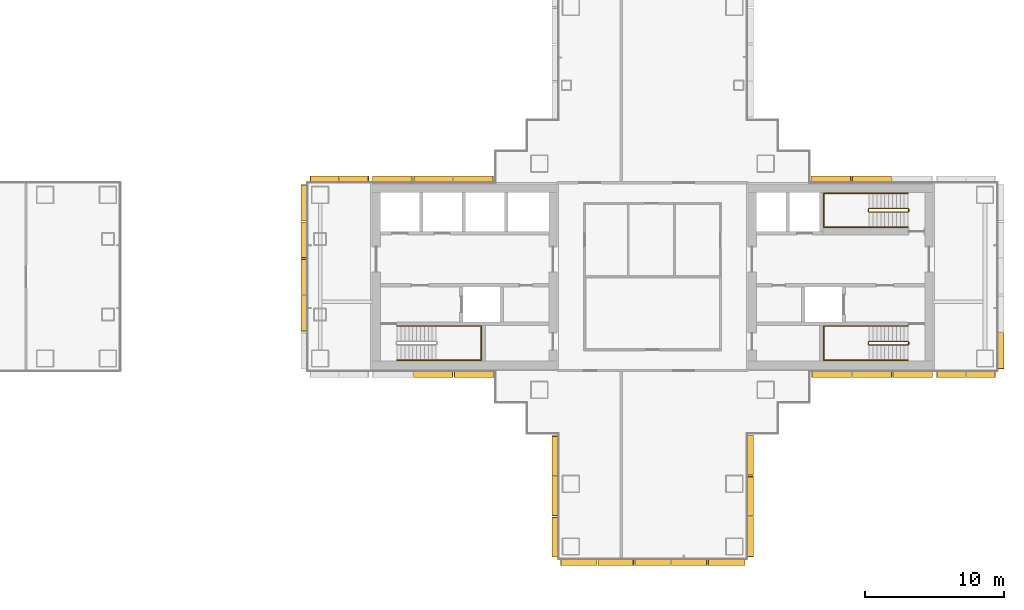
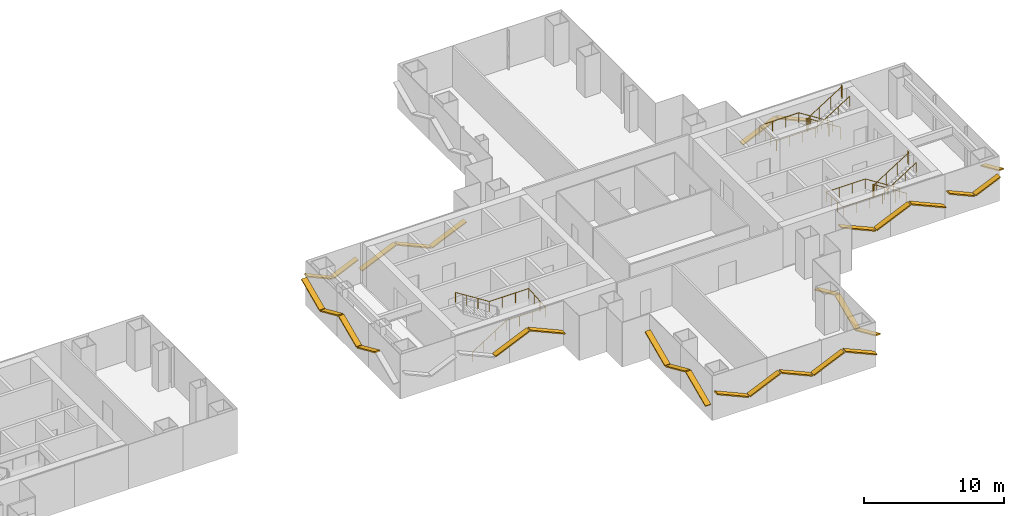
# One storey, part 18 of 20: 30 shading devices, 5 railings.
"""IFC4 building model written with IfcOpenShell, lengths in metres."""

import ifcopenshell
import ifcopenshell.guid

model = None  # the IFC model being written
_history = None  # IfcOwnerHistory: only IFC2X3 demands one
_inside = {}  # id of a spatial element -> (the spatial element, [elements in it])
_under = {}  # id of a project, library or spatial element -> (it, [spatial elements below it])
_declared = {}  # id of a project -> (the project, [libraries it declares])
_typed = {}  # id of a type object -> (the type object, [elements of that type])
_made_of = {}  # id of a material, layer set ... -> (it, [elements and type objects made of it])


def new_model(schema):
    """Start an empty IFC model of exactly this schema.

    Asked for "IFC4X3", IfcOpenShell would pick the latest addendum, in which some entities
    have other attributes; the version numbers below select the first issue.
    IFC2X3 requires an IfcOwnerHistory on every rooted entity: one is made here for all.
    """
    global model, _history
    if schema == "IFC4X3":
        model = ifcopenshell.file(schema_version=(4, 3, 0, 0))
    else:
        model = ifcopenshell.file(schema=schema)
    _inside.clear()
    _under.clear()
    _declared.clear()
    _typed.clear()
    _made_of.clear()
    _history = None
    if model.schema == "IFC2X3":
        org = make("IfcOrganization", Name="unknown")
        user = make(
            "IfcPersonAndOrganization",
            ThePerson=make("IfcPerson", FamilyName="unknown"),
            TheOrganization=org,
        )
        app = make(
            "IfcApplication",
            ApplicationDeveloper=org,
            Version="unknown",
            ApplicationFullName="unknown",
            ApplicationIdentifier="unknown",
        )
        _history = make(
            "IfcOwnerHistory",
            OwningUser=user,
            OwningApplication=app,
            ChangeAction="ADDED",
            CreationDate=0,
        )
    return model


def make(cls, **values):
    """One entity of the class cls with the attributes given. An attribute that is None is left unset."""
    return model.create_entity(
        cls, **{name: value for name, value in values.items() if value is not None}
    )


def rooted(cls, **values):
    """An entity with a GlobalId (a new one), such as an element, a storey or a relation."""
    return make(cls, GlobalId=ifcopenshell.guid.new(), OwnerHistory=_history, **values)


def si_unit(unit_type, name, prefix=None):
    """IfcSIUnit, for example si_unit("LENGTHUNIT", "METRE", prefix="MILLI")."""
    return make("IfcSIUnit", UnitType=unit_type, Prefix=prefix, Name=name)


def assignment(units):
    """IfcUnitAssignment: the units of a project."""
    return None if units is None else make("IfcUnitAssignment", Units=units)


def point(xyz):
    """IfcCartesianPoint."""
    return None if xyz is None else make("IfcCartesianPoint", Coordinates=xyz)


def direction(xyz):
    """IfcDirection."""
    return None if xyz is None else make("IfcDirection", DirectionRatios=xyz)


def frame(location, z_axis=None, x_axis=None):
    """IfcAxis2Placement3D, a coordinate frame: its origin and axes. An axis left out is left unset."""
    return make(
        "IfcAxis2Placement3D",
        Location=point(location),
        Axis=direction(z_axis),
        RefDirection=direction(x_axis),
    )


def frame_2d(location, x_axis=None):
    """IfcAxis2Placement2D, a coordinate frame in the plane: its origin and x axis."""
    return make(
        "IfcAxis2Placement2D", Location=point(location), RefDirection=direction(x_axis)
    )


def origin():
    """The frame at (0, 0, 0) with its axes left unset."""
    return frame((0.0, 0.0, 0.0))


def origin_2d():
    """The frame at (0, 0) in the plane with its x axis left unset."""
    return frame_2d((0.0, 0.0))


def place(relative_to, where):
    """IfcLocalPlacement: puts the frame where relative to a parent placement (None: the world)."""
    return make(
        "IfcLocalPlacement", PlacementRelTo=relative_to, RelativePlacement=where
    )


def context(
    kind, dimensions, precision=None, world=None, true_north=None, identifier=None
):
    """IfcGeometricRepresentationContext, for example the 3D "Model" context."""
    return make(
        "IfcGeometricRepresentationContext",
        ContextIdentifier=identifier,
        ContextType=kind,
        CoordinateSpaceDimension=dimensions,
        Precision=precision,
        WorldCoordinateSystem=world,
        TrueNorth=true_north,
    )


def subcontext(parent, identifier, kind, view, scale=None):
    """IfcGeometricRepresentationSubContext, for example "Body" below "Model"."""
    return make(
        "IfcGeometricRepresentationSubContext",
        ContextIdentifier=identifier,
        ContextType=kind,
        ParentContext=parent,
        TargetScale=scale,
        TargetView=view,
    )


def project(units=None, contexts=None):
    """IfcProject with its units and contexts."""
    return rooted(
        "IfcProject",
        Name="project",
        RepresentationContexts=contexts,
        UnitsInContext=assignment(units),
    )


def spatial(cls, under=None, at=None, **own):
    """A site, building, storey or space (cls), placed at a placement, below another one or the project."""
    s = rooted(cls, ObjectPlacement=at, **own)
    if under is not None:
        _under.setdefault(under.id(), (under, []))[1].append(s)
    return s


def profile(cls, at=None, kind="AREA", **sizes):
    """A parametric profile (cls). Its sizes go by their IFC names, for example OverallWidth=200.0."""
    return make(cls, ProfileType=kind, Position=at, **sizes)


def rectangle(**sizes):
    """IfcRectangleProfileDef."""
    return profile("IfcRectangleProfileDef", **sizes)


def circle(**sizes):
    """IfcCircleProfileDef."""
    return profile("IfcCircleProfileDef", **sizes)


def extrude(swept, where, along, depth):
    """IfcExtrudedAreaSolid: the profile swept, set in the frame where, extruded along a direction by depth."""
    return make(
        "IfcExtrudedAreaSolid",
        SweptArea=swept,
        Position=where,
        ExtrudedDirection=direction(along),
        Depth=depth,
    )


def shape(context_of_items, identifier, shape_type, items):
    """IfcShapeRepresentation: the items that make up one representation, for example the "Body"."""
    return make(
        "IfcShapeRepresentation",
        ContextOfItems=context_of_items,
        RepresentationIdentifier=identifier,
        RepresentationType=shape_type,
        Items=items,
    )


def material(Name=None, Category=None):
    """IfcMaterial."""
    return make("IfcMaterial", Name=Name, Category=Category)


def material_profile(
    of_material, cross_section, Name=None, Category=None, Priority=None
):
    """IfcMaterialProfile: a cross section and its material."""
    return make(
        "IfcMaterialProfile",
        Name=Name,
        Material=of_material,
        Profile=cross_section,
        Priority=Priority,
        Category=Category,
    )


def profile_set(profiles, Name=None, composite=None):
    """IfcMaterialProfileSet."""
    return make(
        "IfcMaterialProfileSet",
        Name=Name,
        MaterialProfiles=profiles,
        CompositeProfile=composite,
    )


def made_of(thing, what):
    """Note that an element or type object is made of a material, layer set ...; save() writes the relation."""
    if what is not None:
        _made_of.setdefault(what.id(), (what, []))[1].append(thing)
    return thing


def type_object(cls, material=None, **own):
    """A type object (cls), such as IfcWallType, which elements share."""
    return made_of(rooted(cls, **own), material)


def element(
    cls,
    number,
    at=None,
    inside=None,
    cuts=None,
    type_object=None,
    material=None,
    context=None,
    identifier="Body",
    shape_type=None,
    held_by="IfcProductDefinitionShape",
    body=None,
    shapes=None,
    **own,
):
    """One element of the class cls, such as IfcWall. Its Tag is "e" and its number.

    at: its placement. inside: the storey or other place that contains it. cuts: it is an
    opening in that element (IfcRelVoidsElement). A single representation is given by context,
    identifier, shape_type and body (its items); several are given by shapes. held_by: the class
    of the entity that holds the representations. save() writes the other relations.
    """
    e = rooted(cls, Tag="e%d" % number, ObjectPlacement=at, **own)
    if body is not None:
        shapes = [shape(context, identifier, shape_type, body)]
    if shapes is not None:
        e.Representation = make(held_by, Representations=shapes)
    if inside is not None:
        _inside.setdefault(inside.id(), (inside, []))[1].append(e)
    if cuts is not None:
        rooted(
            "IfcRelVoidsElement", RelatingBuildingElement=cuts, RelatedOpeningElement=e
        )
    if type_object is not None:
        _typed.setdefault(type_object.id(), (type_object, []))[1].append(e)
    return made_of(e, material)


def aggregate(whole, parts):
    """IfcRelAggregates: a whole, such as a stair, and the parts it consists of."""
    return rooted("IfcRelAggregates", RelatingObject=whole, RelatedObjects=parts)


def save(model, path):
    """Write the relations noted so far, then the file.

    IfcRelAggregates (storeys below a building ...), IfcRelContainedInSpatialStructure (elements
    in a storey), IfcRelDefinesByType, IfcRelAssociatesMaterial and IfcRelDeclares: one each for
    every whole, place, type object, material and project.
    """
    for whole, parts in _under.values():
        aggregate(whole, parts)
    for where, things in _inside.values():
        rooted(
            "IfcRelContainedInSpatialStructure",
            RelatedElements=things,
            RelatingStructure=where,
        )
    for kind, things in _typed.values():
        rooted("IfcRelDefinesByType", RelatedObjects=things, RelatingType=kind)
    for what, things in _made_of.values():
        rooted("IfcRelAssociatesMaterial", RelatedObjects=things, RelatingMaterial=what)
    for by, libraries in _declared.values():
        rooted("IfcRelDeclares", RelatingContext=by, RelatedDefinitions=libraries)
    model.write(path)


model = new_model("IFC4")

# Units and contexts
model_context = context("Model", 3, precision=1e-05, world=origin(), true_north=direction((0.0, 1.0)))
body_context = subcontext(model_context, "Body", "Model", "MODEL_VIEW")
ifc_project = project(units=[si_unit("LENGTHUNIT", "METRE"), si_unit("AREAUNIT", "SQUARE_METRE"), si_unit("VOLUMEUNIT", "CUBIC_METRE"), si_unit("PLANEANGLEUNIT", "RADIAN"), si_unit("MASSUNIT", "GRAM", prefix="KILO")], contexts=[model_context])

# Site, building, storey
site_placement = place(None, origin())
site = spatial("IfcSite", under=ifc_project, at=site_placement, CompositionType="ELEMENT")
building_placement = place(site_placement, origin())
building = spatial("IfcBuilding", under=site, at=building_placement, Name="Shamsa Quay Exchange Towers", CompositionType="ELEMENT")
storey_placement = place(building_placement, frame((0.0, 0.0, 101.39990234375)))
storey = spatial("IfcBuildingStorey", under=building, at=storey_placement, Name="L23", CompositionType="ELEMENT", Elevation=101.39990234375)

# Shading devices
ifc_material_1 = material(Name="Aluminium EN AW-6063 T6, black anodised", Category="aluminium")
ifc_material_profile = material_profile(ifc_material_1, rectangle(XDim=0.449951171875, YDim=0.10009765625, at=origin_2d()), Name="FIN450x100")
ifc_profile_set = profile_set([ifc_material_profile], Name="Aluminium EN AW-6063 T6, black anodised")
shading_device_type = type_object("IfcShadingDeviceType", Name="FIN 450x100 BLACK ALUMINIUM", PredefinedType="USERDEFINED", material=ifc_profile_set)
shading_device_1_placement = place(storey_placement, frame((45.18798828125, -7.01904296875, 2.231689453125), z_axis=(0.913558535862, 0.0, -0.406707267643), x_axis=(0.0, 1.0, 0.0)))
element("IfcShadingDevice", 1, at=shading_device_1_placement, inside=storey, type_object=shading_device_type, Name="FIN T2 chevron rib", ObjectType="FIN", PredefinedType="USERDEFINED", context=body_context, shape_type="SweptSolid", body=[
    extrude(rectangle(XDim=0.449951171875, YDim=0.10009765625, at=origin_2d()), origin(), (0.0, 0.0, 1.0), 3.10595703125),
])
shading_device_2_placement = place(storey_placement, frame((48.125244140625, -7.01904296875, 0.9794921875), z_axis=(0.913520954647, 0.0, 0.406791673244), x_axis=(0.0, 1.0, 0.0)))
element("IfcShadingDevice", 2, at=shading_device_2_placement, inside=storey, type_object=shading_device_type, Name="FIN T2 chevron rib", ObjectType="FIN", PredefinedType="USERDEFINED", context=body_context, shape_type="SweptSolid", body=[
    extrude(rectangle(XDim=0.449951171875, YDim=0.10009765625, at=origin_2d()), origin(), (0.0, 0.0, 1.0), 3.05126953125),
])
shading_device_3_placement = place(storey_placement, frame((51.0126953125, -7.01904296875, 2.231689453125), z_axis=(0.913558535862, 0.0, -0.406707267643), x_axis=(0.0, 1.0, 0.0)))
element("IfcShadingDevice", 3, at=shading_device_3_placement, inside=storey, type_object=shading_device_type, Name="FIN T2 chevron rib", ObjectType="FIN", PredefinedType="USERDEFINED", context=body_context, shape_type="SweptSolid", body=[
    extrude(rectangle(XDim=0.449951171875, YDim=0.10009765625, at=origin_2d()), origin(), (0.0, 0.0, 1.0), 3.10595703125),
])
for number, where, z_axis, x_axis, name in (
    (4, (54.14990234375, -7.014892578125, 2.056396484375), (0.913569116241, 0.0, -0.406683500835), (0.0, 1.0, 0.0), "FIN T2 chevron rib"),
    (5, (56.300048828125, -7.014892578125, 1.143798828125), (0.913569116241, 0.0, 0.406683500835), (0.0, 1.0, 0.0), "FIN T2 chevron rib"),
):
    element("IfcShadingDevice", number, at=place(storey_placement, frame(where, z_axis=z_axis, x_axis=x_axis)), inside=storey, type_object=shading_device_type, Name=name, ObjectType="FIN", PredefinedType="USERDEFINED", context=body_context, shape_type="SweptSolid", body=[
        extrude(rectangle(XDim=0.449951171875, YDim=0.10009765625, at=origin_2d()), origin(), (0.0, 0.0, 1.0), 2.243896484375),
    ])
shading_device_4_placement = place(storey_placement, frame((58.764892578125, -6.60009765625, 2.1767578125), z_axis=(0.0, 0.913527255138, -0.406777524109), x_axis=(-1.0, 0.0, 0.0)))
element("IfcShadingDevice", 6, at=shading_device_4_placement, inside=storey, type_object=shading_device_type, Name="FIN T2 chevron rib", ObjectType="FIN", PredefinedType="USERDEFINED", context=body_context, shape_type="SweptSolid", body=[
    extrude(rectangle(XDim=0.449951171875, YDim=0.10009765625, at=origin_2d()), origin(), (0.0, 0.0, 1.0), 2.835205078125),
])
shading_device_5_placement = place(storey_placement, frame((50.89990234375, 7.01904296875, 0.976806640625), z_axis=(-0.913541981537, 0.0, 0.406744450447), x_axis=(0.0, -1.0, 0.0)))
element("IfcShadingDevice", 7, at=shading_device_5_placement, inside=storey, type_object=shading_device_type, Name="FIN T2 chevron rib", ObjectType="FIN", PredefinedType="USERDEFINED", context=body_context, shape_type="SweptSolid", body=[
    extrude(rectangle(XDim=0.449951171875, YDim=0.10009765625, at=origin_2d()), origin(), (0.0, 0.0, 1.0), 3.064697265625),
])
shading_device_6_placement = place(storey_placement, frame((48.0, 7.01904296875, 2.234619140625), z_axis=(-0.913533816972, 0.0, -0.406762787444), x_axis=(0.0, -1.0, 0.0)))
element("IfcShadingDevice", 8, at=shading_device_6_placement, inside=storey, type_object=shading_device_type, Name="FIN T2 chevron rib", ObjectType="FIN", PredefinedType="USERDEFINED", context=body_context, shape_type="SweptSolid", body=[
    extrude(rectangle(XDim=0.449951171875, YDim=0.10009765625, at=origin_2d()), origin(), (0.0, 0.0, 1.0), 3.119873046875),
])
shading_device_7_placement = place(storey_placement, frame((22.31201171875, 7.01904296875, 2.231689453125), z_axis=(-0.913558535862, 0.0, -0.406707267643), x_axis=(0.0, -1.0, 0.0)))
element("IfcShadingDevice", 9, at=shading_device_7_placement, inside=storey, type_object=shading_device_type, Name="FIN T2 chevron rib", ObjectType="FIN", PredefinedType="USERDEFINED", context=body_context, shape_type="SweptSolid", body=[
    extrude(rectangle(XDim=0.449951171875, YDim=0.10009765625, at=origin_2d()), origin(), (0.0, 0.0, 1.0), 3.10595703125),
])
shading_device_8_placement = place(storey_placement, frame((19.374755859375, 7.01904296875, 0.9794921875), z_axis=(-0.913520954647, 0.0, 0.406791673244), x_axis=(0.0, -1.0, 0.0)))
element("IfcShadingDevice", 10, at=shading_device_8_placement, inside=storey, type_object=shading_device_type, Name="FIN T2 chevron rib", ObjectType="FIN", PredefinedType="USERDEFINED", context=body_context, shape_type="SweptSolid", body=[
    extrude(rectangle(XDim=0.449951171875, YDim=0.10009765625, at=origin_2d()), origin(), (0.0, 0.0, 1.0), 3.05126953125),
])
shading_device_9_placement = place(storey_placement, frame((16.4873046875, 7.01904296875, 2.231689453125), z_axis=(-0.913558535862, 0.0, -0.406707267643), x_axis=(0.0, -1.0, 0.0)))
element("IfcShadingDevice", 11, at=shading_device_9_placement, inside=storey, type_object=shading_device_type, Name="FIN T2 chevron rib", ObjectType="FIN", PredefinedType="USERDEFINED", context=body_context, shape_type="SweptSolid", body=[
    extrude(rectangle(XDim=0.449951171875, YDim=0.10009765625, at=origin_2d()), origin(), (0.0, 0.0, 1.0), 3.10595703125),
])
for number, where, z_axis, x_axis, name in (
    (12, (13.35009765625, 7.014892578125, 2.056396484375), (-0.913569116241, 0.0, -0.406683500835), (0.0, -1.0, 0.0), "FIN T2 chevron rib"),
    (13, (11.199951171875, 7.014892578125, 1.143798828125), (-0.913569116241, 0.0, 0.406683500835), (0.0, -1.0, 0.0), "FIN T2 chevron rib"),
):
    element("IfcShadingDevice", number, at=place(storey_placement, frame(where, z_axis=z_axis, x_axis=x_axis)), inside=storey, type_object=shading_device_type, Name=name, ObjectType="FIN", PredefinedType="USERDEFINED", context=body_context, shape_type="SweptSolid", body=[
        extrude(rectangle(XDim=0.449951171875, YDim=0.10009765625, at=origin_2d()), origin(), (0.0, 0.0, 1.0), 2.243896484375),
    ])
shading_device_10_placement = place(storey_placement, frame((8.735107421875, 6.60009765625, 2.1767578125), z_axis=(0.0, -0.913527255138, -0.406777524109), x_axis=(1.0, 0.0, 0.0)))
element("IfcShadingDevice", 14, at=shading_device_10_placement, inside=storey, type_object=shading_device_type, Name="FIN T2 chevron rib", ObjectType="FIN", PredefinedType="USERDEFINED", context=body_context, shape_type="SweptSolid", body=[
    extrude(rectangle(XDim=0.449951171875, YDim=0.10009765625, at=origin_2d()), origin(), (0.0, 0.0, 1.0), 2.835205078125),
])
shading_device_11_placement = place(storey_placement, frame((8.735107421875, 3.909912109375, 1.03466796875), z_axis=(0.0, -0.913536125794, 0.406757602103), x_axis=(1.0, 0.0, 0.0)))
element("IfcShadingDevice", 15, at=shading_device_11_placement, inside=storey, type_object=shading_device_type, Name="FIN T2 chevron rib", ObjectType="FIN", PredefinedType="USERDEFINED", context=body_context, shape_type="SweptSolid", body=[
    extrude(rectangle(XDim=0.449951171875, YDim=0.10009765625, at=origin_2d()), origin(), (0.0, 0.0, 1.0), 2.7802734375),
])
shading_device_12_placement = place(storey_placement, frame((8.735107421875, 1.27001953125, 2.16552734375), z_axis=(0.0, -0.913550653139, -0.4067249736), x_axis=(1.0, 0.0, 0.0)))
element("IfcShadingDevice", 16, at=shading_device_12_placement, inside=storey, type_object=shading_device_type, Name="FIN T2 chevron rib", ObjectType="FIN", PredefinedType="USERDEFINED", context=body_context, shape_type="SweptSolid", body=[
    extrude(rectangle(XDim=0.449951171875, YDim=0.10009765625, at=origin_2d()), origin(), (0.0, 0.0, 1.0), 2.780517578125),
])
shading_device_13_placement = place(storey_placement, frame((8.735107421875, -1.3701171875, 1.03466796875), z_axis=(0.0, -0.913536125794, 0.406757602103), x_axis=(1.0, 0.0, 0.0)))
element("IfcShadingDevice", 17, at=shading_device_13_placement, inside=storey, type_object=shading_device_type, Name="FIN T2 chevron rib", ObjectType="FIN", PredefinedType="USERDEFINED", context=body_context, shape_type="SweptSolid", body=[
    extrude(rectangle(XDim=0.449951171875, YDim=0.10009765625, at=origin_2d()), origin(), (0.0, 0.0, 1.0), 2.7802734375),
])
shading_device_14_placement = place(storey_placement, frame((16.60009765625, -7.01904296875, 0.976806640625), z_axis=(0.913541981537, 0.0, 0.406744450447), x_axis=(0.0, 1.0, 0.0)))
element("IfcShadingDevice", 18, at=shading_device_14_placement, inside=storey, type_object=shading_device_type, Name="FIN T2 chevron rib", ObjectType="FIN", PredefinedType="USERDEFINED", context=body_context, shape_type="SweptSolid", body=[
    extrude(rectangle(XDim=0.449951171875, YDim=0.10009765625, at=origin_2d()), origin(), (0.0, 0.0, 1.0), 3.064697265625),
])
shading_device_15_placement = place(storey_placement, frame((19.5, -7.01904296875, 2.234619140625), z_axis=(0.913533816972, 0.0, -0.406762787444), x_axis=(0.0, 1.0, 0.0)))
element("IfcShadingDevice", 19, at=shading_device_15_placement, inside=storey, type_object=shading_device_type, Name="FIN T2 chevron rib", ObjectType="FIN", PredefinedType="USERDEFINED", context=body_context, shape_type="SweptSolid", body=[
    extrude(rectangle(XDim=0.449951171875, YDim=0.10009765625, at=origin_2d()), origin(), (0.0, 0.0, 1.0), 3.119873046875),
])
shading_device_16_placement = place(storey_placement, frame((26.735107421875, -11.43798828125, 2.231689453125), z_axis=(0.0, -0.913558535862, -0.406707267643), x_axis=(1.0, 0.0, 0.0)))
element("IfcShadingDevice", 20, at=shading_device_16_placement, inside=storey, type_object=shading_device_type, Name="FIN T2 chevron rib", ObjectType="FIN", PredefinedType="USERDEFINED", context=body_context, shape_type="SweptSolid", body=[
    extrude(rectangle(XDim=0.449951171875, YDim=0.10009765625, at=origin_2d()), origin(), (0.0, 0.0, 1.0), 3.10595703125),
])
shading_device_17_placement = place(storey_placement, frame((26.735107421875, -14.375244140625, 0.9794921875), z_axis=(0.0, -0.913520954647, 0.406791673244), x_axis=(1.0, 0.0, 0.0)))
element("IfcShadingDevice", 21, at=shading_device_17_placement, inside=storey, type_object=shading_device_type, Name="FIN T2 chevron rib", ObjectType="FIN", PredefinedType="USERDEFINED", context=body_context, shape_type="SweptSolid", body=[
    extrude(rectangle(XDim=0.449951171875, YDim=0.10009765625, at=origin_2d()), origin(), (0.0, 0.0, 1.0), 3.05126953125),
])
shading_device_18_placement = place(storey_placement, frame((26.735107421875, -17.2626953125, 2.231689453125), z_axis=(0.0, -0.913558535862, -0.406707267643), x_axis=(1.0, 0.0, 0.0)))
element("IfcShadingDevice", 22, at=shading_device_18_placement, inside=storey, type_object=shading_device_type, Name="FIN T2 chevron rib", ObjectType="FIN", PredefinedType="USERDEFINED", context=body_context, shape_type="SweptSolid", body=[
    extrude(rectangle(XDim=0.449951171875, YDim=0.10009765625, at=origin_2d()), origin(), (0.0, 0.0, 1.0), 3.10595703125),
])
shading_device_19_placement = place(storey_placement, frame((27.14990234375, -20.514892578125, 2.1767578125), z_axis=(0.913527255138, 0.0, -0.406777524109), x_axis=(0.0, 1.0, 0.0)))
element("IfcShadingDevice", 23, at=shading_device_19_placement, inside=storey, type_object=shading_device_type, Name="FIN T2 chevron rib", ObjectType="FIN", PredefinedType="USERDEFINED", context=body_context, shape_type="SweptSolid", body=[
    extrude(rectangle(XDim=0.449951171875, YDim=0.10009765625, at=origin_2d()), origin(), (0.0, 0.0, 1.0), 2.835205078125),
])
shading_device_20_placement = place(storey_placement, frame((29.840087890625, -20.514892578125, 1.03466796875), z_axis=(0.913536125794, 0.0, 0.406757602103), x_axis=(0.0, 1.0, 0.0)))
element("IfcShadingDevice", 24, at=shading_device_20_placement, inside=storey, type_object=shading_device_type, Name="FIN T2 chevron rib", ObjectType="FIN", PredefinedType="USERDEFINED", context=body_context, shape_type="SweptSolid", body=[
    extrude(rectangle(XDim=0.449951171875, YDim=0.10009765625, at=origin_2d()), origin(), (0.0, 0.0, 1.0), 2.7802734375),
])
shading_device_21_placement = place(storey_placement, frame((32.47998046875, -20.514892578125, 2.16552734375), z_axis=(0.913550653139, 0.0, -0.4067249736), x_axis=(0.0, 1.0, 0.0)))
element("IfcShadingDevice", 25, at=shading_device_21_placement, inside=storey, type_object=shading_device_type, Name="FIN T2 chevron rib", ObjectType="FIN", PredefinedType="USERDEFINED", context=body_context, shape_type="SweptSolid", body=[
    extrude(rectangle(XDim=0.449951171875, YDim=0.10009765625, at=origin_2d()), origin(), (0.0, 0.0, 1.0), 2.780517578125),
])
shading_device_22_placement = place(storey_placement, frame((35.1201171875, -20.514892578125, 1.03466796875), z_axis=(0.913536125794, 0.0, 0.406757602103), x_axis=(0.0, 1.0, 0.0)))
element("IfcShadingDevice", 26, at=shading_device_22_placement, inside=storey, type_object=shading_device_type, Name="FIN T2 chevron rib", ObjectType="FIN", PredefinedType="USERDEFINED", context=body_context, shape_type="SweptSolid", body=[
    extrude(rectangle(XDim=0.449951171875, YDim=0.10009765625, at=origin_2d()), origin(), (0.0, 0.0, 1.0), 2.7802734375),
])
shading_device_23_placement = place(storey_placement, frame((37.760009765625, -20.514892578125, 2.1767578125), z_axis=(0.913527255138, 0.0, -0.406777524109), x_axis=(0.0, 1.0, 0.0)))
element("IfcShadingDevice", 27, at=shading_device_23_placement, inside=storey, type_object=shading_device_type, Name="FIN T2 chevron rib", ObjectType="FIN", PredefinedType="USERDEFINED", context=body_context, shape_type="SweptSolid", body=[
    extrude(rectangle(XDim=0.449951171875, YDim=0.10009765625, at=origin_2d()), origin(), (0.0, 0.0, 1.0), 2.835205078125),
])
shading_device_24_placement = place(storey_placement, frame((40.764892578125, -20.10009765625, 2.234619140625), z_axis=(0.0, 0.913533816972, -0.406762787444), x_axis=(-1.0, 0.0, 0.0)))
element("IfcShadingDevice", 28, at=shading_device_24_placement, inside=storey, type_object=shading_device_type, Name="FIN T2 chevron rib", ObjectType="FIN", PredefinedType="USERDEFINED", context=body_context, shape_type="SweptSolid", body=[
    extrude(rectangle(XDim=0.449951171875, YDim=0.10009765625, at=origin_2d()), origin(), (0.0, 0.0, 1.0), 3.119873046875),
])
shading_device_25_placement = place(storey_placement, frame((40.764892578125, -17.14990234375, 0.976806640625), z_axis=(0.0, 0.913541981537, 0.406744450447), x_axis=(-1.0, 0.0, 0.0)))
element("IfcShadingDevice", 29, at=shading_device_25_placement, inside=storey, type_object=shading_device_type, Name="FIN T2 chevron rib", ObjectType="FIN", PredefinedType="USERDEFINED", context=body_context, shape_type="SweptSolid", body=[
    extrude(rectangle(XDim=0.449951171875, YDim=0.10009765625, at=origin_2d()), origin(), (0.0, 0.0, 1.0), 3.064697265625),
])
shading_device_26_placement = place(storey_placement, frame((40.764892578125, -14.25, 2.234619140625), z_axis=(0.0, 0.913533816972, -0.406762787444), x_axis=(-1.0, 0.0, 0.0)))
element("IfcShadingDevice", 30, at=shading_device_26_placement, inside=storey, type_object=shading_device_type, Name="FIN T2 chevron rib", ObjectType="FIN", PredefinedType="USERDEFINED", context=body_context, shape_type="SweptSolid", body=[
    extrude(rectangle(XDim=0.449951171875, YDim=0.10009765625, at=origin_2d()), origin(), (0.0, 0.0, 1.0), 3.119873046875),
])

# Railings
ifc_material_2 = material(Name="Stainless steel", Category="steel")
railing_type_1 = type_object("IfcRailingType", Name="STAIR GUARD 1100", PredefinedType="GUARDRAIL", material=ifc_material_2)
railing_1_placement = place(storey_placement, frame((52.10009765625, -4.64990234375, 0.177490234375)))
element("IfcRailing", 31, at=railing_1_placement, inside=storey, type_object=railing_type_1, Name="L23 ST5 stair guard 1", PredefinedType="GUARDRAIL", context=body_context, shape_type="SweptSolid", body=[
    extrude(circle(Radius=0.02392578125, at=origin_2d()), frame((0.0, 0.0, 1.076171875), z_axis=(-0.844908973607, 0.0, 0.534910110503), x_axis=(0.0, -1.0, 0.0)), (0.0, 0.0, 1.0), 3.31396484375),
    extrude(circle(Radius=0.02392578125, at=origin_2d()), frame((-2.800048828125, 0.0, 2.8486328125), z_axis=(-0.707106781187, -0.707106781187, 0.0), x_axis=(0.707106781187, -0.707106781187, 0.0)), (0.0, 0.0, 1.0), 0.07080078125),
    extrude(circle(Radius=0.02392578125, at=origin_2d()), frame((-2.85009765625, -0.050048828125, 2.8486328125), z_axis=(0.0, -1.0, 0.0), x_axis=(1.0, 0.0, 0.0)), (0.0, 0.0, 1.0), 0.150146484375),
    extrude(circle(Radius=0.02392578125, at=origin_2d()), frame((-2.85009765625, -0.2001953125, 2.8486328125), z_axis=(0.262321481514, -0.261041864531, 0.929001929653), x_axis=(0.705375805398, 0.708833529934, 0.0)), (0.0, 0.0, 1.0), 0.190673828125),
    extrude(circle(Radius=0.02392578125, at=origin_2d()), frame((-2.800048828125, -0.25, 3.02587890625), z_axis=(0.844908973607, 0.0, 0.534910110503), x_axis=(0.0, 1.0, 0.0)), (0.0, 0.0, 1.0), 3.31396484375),
    extrude(circle(Radius=0.02392578125, at=origin_2d()), frame((0.0, -0.25, 4.798828125), z_axis=(0.241699205484, 0.970351222016, 0.0), x_axis=(-0.970351222016, 0.241699205484, 0.0)), (0.0, 0.0, 1.0), 0.2060546875),
    extrude(circle(Radius=0.02392578125, at=origin_2d()), frame((0.0498046875, -0.050048828125, 4.798828125), z_axis=(0.0, -1.0, 0.0), x_axis=(1.0, 0.0, 0.0)), (0.0, 0.0, 1.0), 0.150146484375),
    extrude(circle(Radius=0.02099609375, at=origin_2d()), origin(), (0.0, 0.0, 1.0), 1.052001953125),
    extrude(circle(Radius=0.02099609375, at=origin_2d()), frame((-0.933349609375, 0.0, 0.5908203125)), (0.0, 0.0, 1.0), 1.052001953125),
    extrude(circle(Radius=0.02099609375, at=origin_2d()), frame((-1.86669921875, 0.0, 1.181884765625)), (0.0, 0.0, 1.0), 1.052001953125),
    extrude(circle(Radius=0.02099609375, at=origin_2d()), frame((-2.800048828125, 0.0, 1.772705078125)), (0.0, 0.0, 1.0), 1.052001953125),
    extrude(circle(Radius=0.02099609375, at=origin_2d()), frame((-2.85009765625, -0.050048828125, 1.772705078125)), (0.0, 0.0, 1.0), 1.052001953125),
    extrude(circle(Radius=0.02099609375, at=origin_2d()), frame((-2.85009765625, -0.2001953125, 1.772705078125)), (0.0, 0.0, 1.0), 1.052001953125),
    extrude(circle(Radius=0.02099609375, at=origin_2d()), frame((-2.800048828125, -0.25, 1.949951171875)), (0.0, 0.0, 1.0), 1.052001953125),
    extrude(circle(Radius=0.02099609375, at=origin_2d()), frame((-1.86669921875, -0.25, 2.540771484375)), (0.0, 0.0, 1.0), 1.052001953125),
    extrude(circle(Radius=0.02099609375, at=origin_2d()), frame((-0.933349609375, -0.25, 3.1318359375)), (0.0, 0.0, 1.0), 1.052001953125),
    extrude(circle(Radius=0.02099609375, at=origin_2d()), frame((0.0, -0.25, 3.72265625)), (0.0, 0.0, 1.0), 1.052001953125),
    extrude(circle(Radius=0.02099609375, at=origin_2d()), frame((0.0498046875, -0.050048828125, 3.72265625)), (0.0, 0.0, 1.0), 1.052001953125),
    extrude(circle(Radius=0.02099609375, at=origin_2d()), frame((0.0498046875, -0.2001953125, 3.72265625)), (0.0, 0.0, 1.0), 1.052001953125),
])
railing_2_placement = place(storey_placement, frame((52.10009765625, 4.89990234375, 0.177490234375)))
element("IfcRailing", 32, at=railing_2_placement, inside=storey, type_object=railing_type_1, Name="L23 ST6 stair guard 1", PredefinedType="GUARDRAIL", context=body_context, shape_type="SweptSolid", body=[
    extrude(circle(Radius=0.02392578125, at=origin_2d()), frame((0.0, 0.0, 1.076171875), z_axis=(-0.844908973607, 0.0, 0.534910110503), x_axis=(0.0, -1.0, 0.0)), (0.0, 0.0, 1.0), 3.31396484375),
    extrude(circle(Radius=0.02392578125, at=origin_2d()), frame((-2.800048828125, 0.0, 2.8486328125), z_axis=(-0.708833529934, -0.705375805398, 0.0), x_axis=(0.705375805398, -0.708833529934, 0.0)), (0.0, 0.0, 1.0), 0.070556640625),
    extrude(circle(Radius=0.02392578125, at=origin_2d()), frame((-2.85009765625, -0.0498046875, 2.8486328125), z_axis=(0.0, -1.0, 0.0), x_axis=(1.0, 0.0, 0.0)), (0.0, 0.0, 1.0), 0.150146484375),
    extrude(circle(Radius=0.02392578125, at=origin_2d()), frame((-2.85009765625, -0.199951171875, 2.8486328125), z_axis=(0.262233686654, -0.262233686654, 0.928691007369), x_axis=(0.707106781187, 0.707106781187, 0.0)), (0.0, 0.0, 1.0), 0.19091796875),
    extrude(circle(Radius=0.02392578125, at=origin_2d()), frame((-2.800048828125, -0.25, 3.02587890625), z_axis=(0.844908973607, 0.0, 0.534910110503), x_axis=(0.0, 1.0, 0.0)), (0.0, 0.0, 1.0), 3.31396484375),
    extrude(circle(Radius=0.02392578125, at=origin_2d()), frame((0.0, -0.25, 4.798828125), z_axis=(0.24142163986, 0.970420317083, 0.0), x_axis=(-0.970420317083, 0.24142163986, 0.0)), (0.0, 0.0, 1.0), 0.206298828125),
    extrude(circle(Radius=0.02392578125, at=origin_2d()), frame((0.0498046875, -0.0498046875, 4.798828125), z_axis=(0.0, -1.0, 0.0), x_axis=(1.0, 0.0, 0.0)), (0.0, 0.0, 1.0), 0.150146484375),
    extrude(circle(Radius=0.02099609375, at=origin_2d()), origin(), (0.0, 0.0, 1.0), 1.052001953125),
    extrude(circle(Radius=0.02099609375, at=origin_2d()), frame((-0.933349609375, 0.0, 0.5908203125)), (0.0, 0.0, 1.0), 1.052001953125),
    extrude(circle(Radius=0.02099609375, at=origin_2d()), frame((-1.86669921875, 0.0, 1.181884765625)), (0.0, 0.0, 1.0), 1.052001953125),
    extrude(circle(Radius=0.02099609375, at=origin_2d()), frame((-2.800048828125, 0.0, 1.772705078125)), (0.0, 0.0, 1.0), 1.052001953125),
    extrude(circle(Radius=0.02099609375, at=origin_2d()), frame((-2.85009765625, -0.0498046875, 1.772705078125)), (0.0, 0.0, 1.0), 1.052001953125),
    extrude(circle(Radius=0.02099609375, at=origin_2d()), frame((-2.85009765625, -0.199951171875, 1.772705078125)), (0.0, 0.0, 1.0), 1.052001953125),
    extrude(circle(Radius=0.02099609375, at=origin_2d()), frame((-2.800048828125, -0.25, 1.949951171875)), (0.0, 0.0, 1.0), 1.052001953125),
    extrude(circle(Radius=0.02099609375, at=origin_2d()), frame((-1.86669921875, -0.25, 2.540771484375)), (0.0, 0.0, 1.0), 1.052001953125),
    extrude(circle(Radius=0.02099609375, at=origin_2d()), frame((-0.933349609375, -0.25, 3.1318359375)), (0.0, 0.0, 1.0), 1.052001953125),
    extrude(circle(Radius=0.02099609375, at=origin_2d()), frame((0.0, -0.25, 3.72265625)), (0.0, 0.0, 1.0), 1.052001953125),
    extrude(circle(Radius=0.02099609375, at=origin_2d()), frame((0.0498046875, -0.0498046875, 3.72265625)), (0.0, 0.0, 1.0), 1.052001953125),
    extrude(circle(Radius=0.02099609375, at=origin_2d()), frame((0.0498046875, -0.199951171875, 3.72265625)), (0.0, 0.0, 1.0), 1.052001953125),
])
railing_type_2 = type_object("IfcRailingType", Name="STAIR HANDRAIL 900", PredefinedType="HANDRAIL", material=ifc_material_2)
railing_3_placement = place(storey_placement, frame((15.39990234375, -6.0, 0.177490234375)))
element("IfcRailing", 33, at=railing_3_placement, inside=storey, type_object=railing_type_2, Name="L23 ST4 stair handrail 1", PredefinedType="HANDRAIL", context=body_context, shape_type="SweptSolid", body=[
    extrude(circle(Radius=0.02392578125, at=origin_2d()), frame((0.0, 0.0, 0.8759765625), z_axis=(0.844908973607, 0.0, 0.534910110503), x_axis=(0.0, 1.0, 0.0)), (0.0, 0.0, 1.0), 3.31396484375),
    extrude(circle(Radius=0.02392578125, at=origin_2d()), frame((2.800048828125, 0.0, 2.6484375), z_axis=(1.0, 0.0, 0.0), x_axis=(0.0, 1.0, 0.0)), (0.0, 0.0, 1.0), 3.25),
    extrude(circle(Radius=0.02392578125, at=origin_2d()), frame((6.050048828125, 0.0, 2.6484375), z_axis=(0.0, 0.997393199914, 0.07215819264), x_axis=(-1.0, 0.0, 0.0)), (0.0, 0.0, 1.0), 2.456298828125),
    extrude(circle(Radius=0.02392578125, at=origin_2d()), frame((6.050048828125, 2.449951171875, 2.82568359375), z_axis=(-1.0, 0.0, 0.0), x_axis=(0.0, -1.0, 0.0)), (0.0, 0.0, 1.0), 3.25),
    extrude(circle(Radius=0.02392578125, at=origin_2d()), frame((2.800048828125, 2.449951171875, 2.82568359375), z_axis=(-0.844908973607, 0.0, 0.534910110503), x_axis=(0.0, -1.0, 0.0)), (0.0, 0.0, 1.0), 3.31396484375),
    extrude(circle(Radius=0.02099609375, at=origin_2d()), origin(), (0.0, 0.0, 1.0), 0.851806640625),
    extrude(circle(Radius=0.02099609375, at=origin_2d()), frame((0.933349609375, 0.0, 0.5908203125)), (0.0, 0.0, 1.0), 0.851806640625),
    extrude(circle(Radius=0.02099609375, at=origin_2d()), frame((1.86669921875, 0.0, 1.181884765625)), (0.0, 0.0, 1.0), 0.851806640625),
    extrude(circle(Radius=0.02099609375, at=origin_2d()), frame((2.800048828125, 0.0, 1.772705078125)), (0.0, 0.0, 1.0), 0.851806640625),
    extrude(circle(Radius=0.02099609375, at=origin_2d()), frame((3.88330078125, 0.0, 1.772705078125)), (0.0, 0.0, 1.0), 0.851806640625),
    extrude(circle(Radius=0.02099609375, at=origin_2d()), frame((4.966796875, 0.0, 1.772705078125)), (0.0, 0.0, 1.0), 0.851806640625),
    extrude(circle(Radius=0.02099609375, at=origin_2d()), frame((6.050048828125, 0.0, 1.772705078125)), (0.0, 0.0, 1.0), 0.851806640625),
    extrude(circle(Radius=0.02099609375, at=origin_2d()), frame((6.050048828125, 0.816650390625, 1.831787109375)), (0.0, 0.0, 1.0), 0.851806640625),
    extrude(circle(Radius=0.02099609375, at=origin_2d()), frame((6.050048828125, 1.63330078125, 1.890869140625)), (0.0, 0.0, 1.0), 0.851806640625),
    extrude(circle(Radius=0.02099609375, at=origin_2d()), frame((6.050048828125, 2.449951171875, 1.949951171875)), (0.0, 0.0, 1.0), 0.851806640625),
    extrude(circle(Radius=0.02099609375, at=origin_2d()), frame((4.966796875, 2.449951171875, 1.949951171875)), (0.0, 0.0, 1.0), 0.851806640625),
    extrude(circle(Radius=0.02099609375, at=origin_2d()), frame((3.88330078125, 2.449951171875, 1.949951171875)), (0.0, 0.0, 1.0), 0.851806640625),
    extrude(circle(Radius=0.02099609375, at=origin_2d()), frame((2.800048828125, 2.449951171875, 1.949951171875)), (0.0, 0.0, 1.0), 0.851806640625),
    extrude(circle(Radius=0.02099609375, at=origin_2d()), frame((1.86669921875, 2.449951171875, 2.540771484375)), (0.0, 0.0, 1.0), 0.851806640625),
    extrude(circle(Radius=0.02099609375, at=origin_2d()), frame((0.933349609375, 2.449951171875, 3.1318359375)), (0.0, 0.0, 1.0), 0.851806640625),
    extrude(circle(Radius=0.02099609375, at=origin_2d()), frame((0.0, 2.449951171875, 3.72265625)), (0.0, 0.0, 1.0), 0.851806640625),
])
railing_4_placement = place(storey_placement, frame((52.10009765625, -3.550048828125, 0.177490234375)))
element("IfcRailing", 34, at=railing_4_placement, inside=storey, type_object=railing_type_2, Name="L23 ST5 stair handrail 1", PredefinedType="HANDRAIL", context=body_context, shape_type="SweptSolid", body=[
    extrude(circle(Radius=0.02392578125, at=origin_2d()), frame((0.0, 0.0, 0.8759765625), z_axis=(-0.844908973607, 0.0, 0.534910110503), x_axis=(0.0, -1.0, 0.0)), (0.0, 0.0, 1.0), 3.31396484375),
    extrude(circle(Radius=0.02392578125, at=origin_2d()), frame((-2.800048828125, 0.0, 2.6484375), z_axis=(-1.0, 0.0, 0.0), x_axis=(0.0, -1.0, 0.0)), (0.0, 0.0, 1.0), 3.25),
    extrude(circle(Radius=0.02392578125, at=origin_2d()), frame((-6.050048828125, 0.0, 2.6484375), z_axis=(0.0, -0.997393199914, 0.07215819264), x_axis=(1.0, 0.0, 0.0)), (0.0, 0.0, 1.0), 2.456298828125),
    extrude(circle(Radius=0.02392578125, at=origin_2d()), frame((-6.050048828125, -2.449951171875, 2.82568359375), z_axis=(1.0, 0.0, 0.0), x_axis=(0.0, 1.0, 0.0)), (0.0, 0.0, 1.0), 3.25),
    extrude(circle(Radius=0.02392578125, at=origin_2d()), frame((-2.800048828125, -2.449951171875, 2.82568359375), z_axis=(0.844908973607, 0.0, 0.534910110503), x_axis=(0.0, 1.0, 0.0)), (0.0, 0.0, 1.0), 3.31396484375),
    extrude(circle(Radius=0.02099609375, at=origin_2d()), origin(), (0.0, 0.0, 1.0), 0.851806640625),
    extrude(circle(Radius=0.02099609375, at=origin_2d()), frame((-0.933349609375, 0.0, 0.5908203125)), (0.0, 0.0, 1.0), 0.851806640625),
    extrude(circle(Radius=0.02099609375, at=origin_2d()), frame((-1.86669921875, 0.0, 1.181884765625)), (0.0, 0.0, 1.0), 0.851806640625),
    extrude(circle(Radius=0.02099609375, at=origin_2d()), frame((-2.800048828125, 0.0, 1.772705078125)), (0.0, 0.0, 1.0), 0.851806640625),
    extrude(circle(Radius=0.02099609375, at=origin_2d()), frame((-3.88330078125, 0.0, 1.772705078125)), (0.0, 0.0, 1.0), 0.851806640625),
    extrude(circle(Radius=0.02099609375, at=origin_2d()), frame((-4.966796875, 0.0, 1.772705078125)), (0.0, 0.0, 1.0), 0.851806640625),
    extrude(circle(Radius=0.02099609375, at=origin_2d()), frame((-6.050048828125, 0.0, 1.772705078125)), (0.0, 0.0, 1.0), 0.851806640625),
    extrude(circle(Radius=0.02099609375, at=origin_2d()), frame((-6.050048828125, -0.816650390625, 1.831787109375)), (0.0, 0.0, 1.0), 0.851806640625),
    extrude(circle(Radius=0.02099609375, at=origin_2d()), frame((-6.050048828125, -1.63330078125, 1.890869140625)), (0.0, 0.0, 1.0), 0.851806640625),
    extrude(circle(Radius=0.02099609375, at=origin_2d()), frame((-6.050048828125, -2.449951171875, 1.949951171875)), (0.0, 0.0, 1.0), 0.851806640625),
    extrude(circle(Radius=0.02099609375, at=origin_2d()), frame((-4.966796875, -2.449951171875, 1.949951171875)), (0.0, 0.0, 1.0), 0.851806640625),
    extrude(circle(Radius=0.02099609375, at=origin_2d()), frame((-3.88330078125, -2.449951171875, 1.949951171875)), (0.0, 0.0, 1.0), 0.851806640625),
    extrude(circle(Radius=0.02099609375, at=origin_2d()), frame((-2.800048828125, -2.449951171875, 1.949951171875)), (0.0, 0.0, 1.0), 0.851806640625),
    extrude(circle(Radius=0.02099609375, at=origin_2d()), frame((-1.86669921875, -2.449951171875, 2.540771484375)), (0.0, 0.0, 1.0), 0.851806640625),
    extrude(circle(Radius=0.02099609375, at=origin_2d()), frame((-0.933349609375, -2.449951171875, 3.1318359375)), (0.0, 0.0, 1.0), 0.851806640625),
    extrude(circle(Radius=0.02099609375, at=origin_2d()), frame((0.0, -2.449951171875, 3.72265625)), (0.0, 0.0, 1.0), 0.851806640625),
])
railing_5_placement = place(storey_placement, frame((52.10009765625, 6.0, 0.177490234375)))
element("IfcRailing", 35, at=railing_5_placement, inside=storey, type_object=railing_type_2, Name="L23 ST6 stair handrail 1", PredefinedType="HANDRAIL", context=body_context, shape_type="SweptSolid", body=[
    extrude(circle(Radius=0.02392578125, at=origin_2d()), frame((0.0, 0.0, 0.8759765625), z_axis=(-0.844908973607, 0.0, 0.534910110503), x_axis=(0.0, -1.0, 0.0)), (0.0, 0.0, 1.0), 3.31396484375),
    extrude(circle(Radius=0.02392578125, at=origin_2d()), frame((-2.800048828125, 0.0, 2.6484375), z_axis=(-1.0, 0.0, 0.0), x_axis=(0.0, -1.0, 0.0)), (0.0, 0.0, 1.0), 3.25),
    extrude(circle(Radius=0.02392578125, at=origin_2d()), frame((-6.050048828125, 0.0, 2.6484375), z_axis=(0.0, -0.997393199914, 0.07215819264), x_axis=(1.0, 0.0, 0.0)), (0.0, 0.0, 1.0), 2.456298828125),
    extrude(circle(Radius=0.02392578125, at=origin_2d()), frame((-6.050048828125, -2.449951171875, 2.82568359375), z_axis=(1.0, 0.0, 0.0), x_axis=(0.0, 1.0, 0.0)), (0.0, 0.0, 1.0), 3.25),
    extrude(circle(Radius=0.02392578125, at=origin_2d()), frame((-2.800048828125, -2.449951171875, 2.82568359375), z_axis=(0.844908973607, 0.0, 0.534910110503), x_axis=(0.0, 1.0, 0.0)), (0.0, 0.0, 1.0), 3.31396484375),
    extrude(circle(Radius=0.02099609375, at=origin_2d()), origin(), (0.0, 0.0, 1.0), 0.851806640625),
    extrude(circle(Radius=0.02099609375, at=origin_2d()), frame((-0.933349609375, 0.0, 0.5908203125)), (0.0, 0.0, 1.0), 0.851806640625),
    extrude(circle(Radius=0.02099609375, at=origin_2d()), frame((-1.86669921875, 0.0, 1.181884765625)), (0.0, 0.0, 1.0), 0.851806640625),
    extrude(circle(Radius=0.02099609375, at=origin_2d()), frame((-2.800048828125, 0.0, 1.772705078125)), (0.0, 0.0, 1.0), 0.851806640625),
    extrude(circle(Radius=0.02099609375, at=origin_2d()), frame((-3.88330078125, 0.0, 1.772705078125)), (0.0, 0.0, 1.0), 0.851806640625),
    extrude(circle(Radius=0.02099609375, at=origin_2d()), frame((-4.966796875, 0.0, 1.772705078125)), (0.0, 0.0, 1.0), 0.851806640625),
    extrude(circle(Radius=0.02099609375, at=origin_2d()), frame((-6.050048828125, 0.0, 1.772705078125)), (0.0, 0.0, 1.0), 0.851806640625),
    extrude(circle(Radius=0.02099609375, at=origin_2d()), frame((-6.050048828125, -0.816650390625, 1.831787109375)), (0.0, 0.0, 1.0), 0.851806640625),
    extrude(circle(Radius=0.02099609375, at=origin_2d()), frame((-6.050048828125, -1.63330078125, 1.890869140625)), (0.0, 0.0, 1.0), 0.851806640625),
    extrude(circle(Radius=0.02099609375, at=origin_2d()), frame((-6.050048828125, -2.449951171875, 1.949951171875)), (0.0, 0.0, 1.0), 0.851806640625),
    extrude(circle(Radius=0.02099609375, at=origin_2d()), frame((-4.966796875, -2.449951171875, 1.949951171875)), (0.0, 0.0, 1.0), 0.851806640625),
    extrude(circle(Radius=0.02099609375, at=origin_2d()), frame((-3.88330078125, -2.449951171875, 1.949951171875)), (0.0, 0.0, 1.0), 0.851806640625),
    extrude(circle(Radius=0.02099609375, at=origin_2d()), frame((-2.800048828125, -2.449951171875, 1.949951171875)), (0.0, 0.0, 1.0), 0.851806640625),
    extrude(circle(Radius=0.02099609375, at=origin_2d()), frame((-1.86669921875, -2.449951171875, 2.540771484375)), (0.0, 0.0, 1.0), 0.851806640625),
    extrude(circle(Radius=0.02099609375, at=origin_2d()), frame((-0.933349609375, -2.449951171875, 3.1318359375)), (0.0, 0.0, 1.0), 0.851806640625),
    extrude(circle(Radius=0.02099609375, at=origin_2d()), frame((0.0, -2.449951171875, 3.72265625)), (0.0, 0.0, 1.0), 0.851806640625),
])

save(model, "model.ifc")
